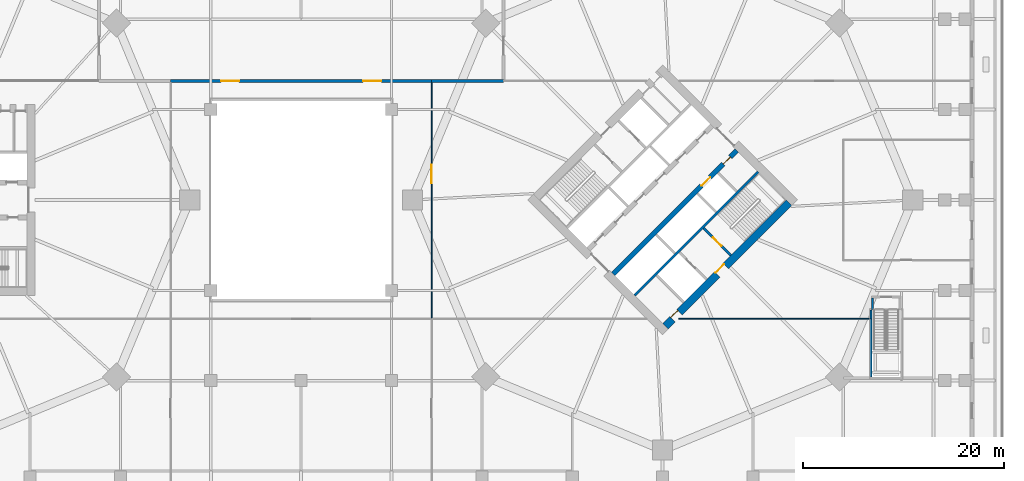
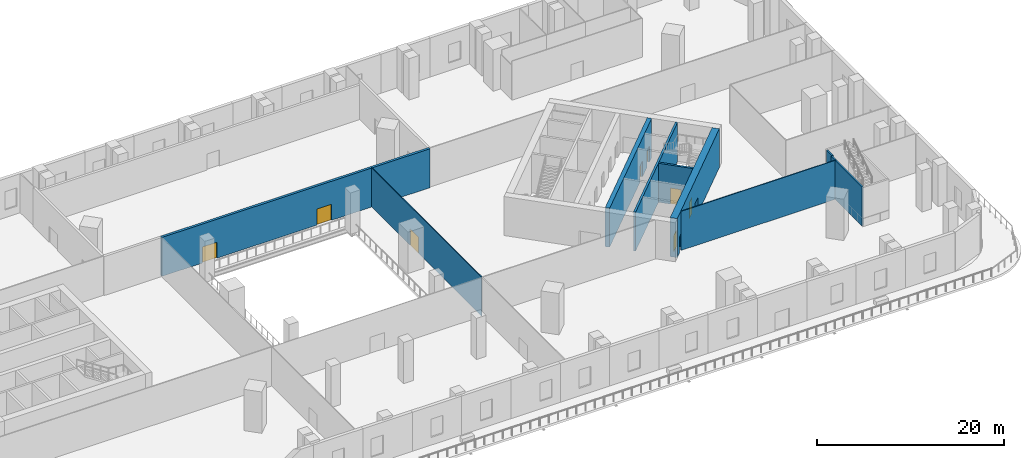
# One storey, part 8 of 19: 11 walls, 8 doors, 8 openings.
"""IFC4 building model written with IfcOpenShell, lengths in metres."""

from ifc_helpers import new_model, si_unit, direction, frame, frame_2d, origin, place, context, subcontext, project, spatial, rectangle, extrude, material, layer, layer_set, type_object, element, fill, save


model = new_model("IFC4")

# Units and contexts
model_context = context("Model", 3, precision=1e-05, world=origin(), true_north=direction((0.0, 1.0)))
body_context = subcontext(model_context, "Body", "Model", "MODEL_VIEW")
ifc_project = project(units=[si_unit("LENGTHUNIT", "METRE"), si_unit("AREAUNIT", "SQUARE_METRE"), si_unit("VOLUMEUNIT", "CUBIC_METRE"), si_unit("PLANEANGLEUNIT", "RADIAN"), si_unit("MASSUNIT", "GRAM", prefix="KILO")], contexts=[model_context])

# Site, building, storey
site_placement = place(None, origin())
site = spatial("IfcSite", under=ifc_project, at=site_placement, CompositionType="ELEMENT")
building_placement = place(site_placement, origin())
building = spatial("IfcBuilding", under=site, at=building_placement, Name="Ogive Gate Towers", CompositionType="ELEMENT")
storey_placement = place(building_placement, frame((0.0, 0.0, 12.60009765625)))
storey = spatial("IfcBuildingStorey", under=building, at=storey_placement, Name="L02", CompositionType="ELEMENT", Elevation=12.60009765625)

# Wall, openings, doors
ifc_material_1 = material(Name="Concrete C60/75", Category="concrete")
ifc_layer_1 = layer(ifc_material_1, 0.800048828125)
ifc_layer_set_1 = layer_set([ifc_layer_1], Name="Core wall 800 mm")
wall_type_1 = type_object("IfcWallType", Name="Core wall 800 mm", PredefinedType="SHEAR", material=ifc_layer_set_1)
wall_1_placement = place(storey_placement, frame((36.28271484375, -12.58642578125, 0.0), z_axis=(0.0, 0.0, 1.0), x_axis=(0.707106781187, 0.707106781187, 0.0)))
wall_1 = element("IfcWall", 1, at=wall_1_placement, inside=storey, type_object=wall_type_1, Name="T2 L02 Core wall 800 mm", PredefinedType="SHEAR", context=body_context, shape_type="SweptSolid", body=[
    extrude(rectangle(XDim=17.400146484375, YDim=0.800048828125, at=frame_2d((8.7001953125, 0.0))), origin(), (0.0, 0.0, 1.0), 5.099853515625),
])
opening_1_placement = place(wall_1_placement, frame((7.300048828125, 0.0, 0.0)))
opening_1 = element("IfcOpeningElement", 2, at=opening_1_placement, cuts=wall_1, Name="Opening KD-T2-L02-16", PredefinedType="OPENING", context=body_context, shape_type="SweptSolid", body=[
    extrude(rectangle(XDim=1.199951171875, YDim=2.10009765625, at=frame_2d((0.60009765625, 1.050048828125))), frame((0.0, 0.41015625, 0.0), z_axis=(0.0, -1.0, 0.0), x_axis=(1.0, 0.0, 0.0)), (0.0, 0.0, 1.0), 0.820068359375),
])
opening_2_placement = place(wall_1_placement, frame((1.0, 0.0, 0.0)))
opening_2 = element("IfcOpeningElement", 3, at=opening_2_placement, cuts=wall_1, Name="Opening KD-T2-L02-19", PredefinedType="OPENING", context=body_context, shape_type="SweptSolid", body=[
    extrude(rectangle(XDim=1.0, YDim=2.10009765625, at=frame_2d((0.5, 1.050048828125))), frame((0.0, 0.41015625, 0.0), z_axis=(0.0, -1.0, 0.0), x_axis=(1.0, 0.0, 0.0)), (0.0, 0.0, 1.0), 0.820068359375),
])
ifc_material_2 = material(Name="Timber door", Category="wood")
door_type_1 = type_object("IfcDoorType", Name="Accessible WC door 1000 x 2100", OperationType="NOTDEFINED", PredefinedType="DOOR", material=ifc_material_2)
door_1_placement = place(opening_2_placement, origin())
door_1 = element("IfcDoor", 4, at=door_1_placement, inside=storey, type_object=door_type_1, Name="T2 L02 Core door", OperationType="SINGLE_SWING_RIGHT", OverallHeight=2.10009765625, OverallWidth=1.0, PredefinedType="DOOR", context=body_context, shape_type="SweptSolid", body=[
    extrude(rectangle(XDim=1.0, YDim=2.10009765625, at=frame_2d((0.5, 1.050048828125))), frame((0.0, 0.27490234375, 0.0), z_axis=(0.0, -1.0, 0.0), x_axis=(1.0, 0.0, 0.0)), (0.0, 0.0, 1.0), 0.050048828125),
])
fill(opening_2, door_1)
ifc_material_3 = material(Name="Steel fire door", Category="steel")
door_type_2 = type_object("IfcDoorType", Name="Core door FD60S 1200 x 2100", OperationType="NOTDEFINED", PredefinedType="DOOR", material=ifc_material_3)
door_2_placement = place(opening_1_placement, origin())
door_2 = element("IfcDoor", 5, at=door_2_placement, inside=storey, type_object=door_type_2, Name="T2 L02 Fire-fighting lobby door", OperationType="SINGLE_SWING_LEFT", OverallHeight=2.10009765625, OverallWidth=1.199951171875, PredefinedType="DOOR", context=body_context, shape_type="SweptSolid", body=[
    extrude(rectangle(XDim=1.199951171875, YDim=2.10009765625, at=frame_2d((0.60009765625, 1.050048828125))), frame((0.0, 0.27490234375, 0.0), z_axis=(0.0, -1.0, 0.0), x_axis=(1.0, 0.0, 0.0)), (0.0, 0.0, 1.0), 0.050048828125),
])
fill(opening_1, door_2)

# Wall, opening, door
ifc_material_4 = material(Name="Gypsum board partition")
ifc_layer_2 = layer(ifc_material_4, 0.10009765625)
ifc_layer_set_2 = layer_set([ifc_layer_2], Name="Partition wall 100")
wall_type_2 = type_object("IfcWallType", Name="Partition wall 100", PredefinedType="PARTITIONING", material=ifc_layer_set_2)
wall_2_placement = place(storey_placement, frame((13.0, -11.800048828125, 0.0), z_axis=(0.0, 0.0, 1.0), x_axis=(0.0, 1.0, 0.0)))
wall_2 = element("IfcWall", 6, at=wall_2_placement, inside=storey, type_object=wall_type_2, Name="L02 partition 051", PredefinedType="PARTITIONING", context=body_context, shape_type="SweptSolid", body=[
    extrude(rectangle(XDim=23.5, YDim=0.10009765625, at=frame_2d((11.75, 0.0))), origin(), (0.0, 0.0, 1.0), 5.099853515625),
])
opening_3_placement = place(wall_2_placement, frame((13.487548828125, 0.0, 0.0)))
opening_3 = element("IfcOpeningElement", 7, at=opening_3_placement, cuts=wall_2, Name="Opening PO177", PredefinedType="OPENING", context=body_context, shape_type="SweptSolid", body=[
    extrude(rectangle(XDim=1.800048828125, YDim=2.10009765625, at=frame_2d((0.89990234375, 1.050048828125))), frame((0.0, 0.06005859375, 0.0), z_axis=(0.0, -1.0, 0.0), x_axis=(1.0, 0.0, 0.0)), (0.0, 0.0, 1.0), 0.1201171875),
])
door_type_3 = type_object("IfcDoorType", Name="Double door 1800 x 2100", OperationType="NOTDEFINED", PredefinedType="DOOR", material=ifc_material_2)
door_3_placement = place(opening_3_placement, origin())
door_3 = element("IfcDoor", 8, at=door_3_placement, inside=storey, type_object=door_type_3, Name="Door PO177", OperationType="DOUBLE_DOOR_DOUBLE_SWING", OverallHeight=2.10009765625, OverallWidth=1.800048828125, PredefinedType="DOOR", context=body_context, shape_type="SweptSolid", body=[
    extrude(rectangle(XDim=1.800048828125, YDim=2.10009765625, at=frame_2d((0.89990234375, 1.050048828125))), frame((0.0, 0.02490234375, 0.0), z_axis=(0.0, -1.0, 0.0), x_axis=(1.0, 0.0, 0.0)), (0.0, 0.0, 1.0), 0.050048828125),
])
fill(opening_3, door_3)

# Wall
wall_3_placement = place(storey_placement, frame((37.5849609375, -11.85009765625, 0.0), z_axis=(0.0, 0.0, 1.0), x_axis=(1.0, 0.0, 0.0)))
element("IfcWall", 9, at=wall_3_placement, inside=storey, type_object=wall_type_2, Name="L02 partition 056", PredefinedType="PARTITIONING", context=body_context, shape_type="SweptSolid", body=[
    extrude(rectangle(XDim=19.06494140625, YDim=0.10009765625, at=frame_2d((9.532470703125, 0.0))), origin(), (0.0, 0.0, 1.0), 5.099853515625),
])

# Wall, openings, doors
ifc_material_5 = material(Name="Acoustic masonry wall", Category="masonry")
ifc_layer_3 = layer(ifc_material_5, 0.300048828125)
ifc_layer_set_3 = layer_set([ifc_layer_3], Name="Partition wall 300")
wall_type_3 = type_object("IfcWallType", Name="Partition wall 300", PredefinedType="PARTITIONING", material=ifc_layer_set_3)
wall_4_placement = place(storey_placement, frame((-13.0, 11.85009765625, 0.0), z_axis=(0.0, 0.0, 1.0), x_axis=(1.0, 0.0, 0.0)))
wall_4 = element("IfcWall", 10, at=wall_4_placement, inside=storey, type_object=wall_type_3, Name="L02 partition 020", PredefinedType="PARTITIONING", context=body_context, shape_type="SweptSolid", body=[
    extrude(rectangle(XDim=26.0, YDim=0.300048828125, at=frame_2d((13.0, 0.0))), origin(), (0.0, 0.0, 1.0), 5.099853515625),
])
opening_4_placement = place(wall_4_placement, frame((5.02001953125, 0.0, 0.0)))
opening_4 = element("IfcOpeningElement", 11, at=opening_4_placement, cuts=wall_4, Name="Opening PO156", PredefinedType="OPENING", context=body_context, shape_type="SweptSolid", body=[
    extrude(rectangle(XDim=1.800048828125, YDim=2.10009765625, at=frame_2d((0.89990234375, 1.050048828125))), frame((0.0, 0.16015625, 0.0), z_axis=(0.0, -1.0, 0.0), x_axis=(1.0, 0.0, 0.0)), (0.0, 0.0, 1.0), 0.320068359375),
])
opening_5_placement = place(wall_4_placement, frame((19.179931640625, 0.0, 0.0)))
opening_5 = element("IfcOpeningElement", 12, at=opening_5_placement, cuts=wall_4, Name="Opening PO157", PredefinedType="OPENING", context=body_context, shape_type="SweptSolid", body=[
    extrude(rectangle(XDim=1.800048828125, YDim=2.10009765625, at=frame_2d((0.89990234375, 1.050048828125))), frame((0.0, 0.16015625, 0.0), z_axis=(0.0, -1.0, 0.0), x_axis=(1.0, 0.0, 0.0)), (0.0, 0.0, 1.0), 0.320068359375),
])
door_type_4 = type_object("IfcDoorType", Name="Interior fire double door FD60S 1800 x 2100", OperationType="NOTDEFINED", PredefinedType="DOOR", material=ifc_material_3)
door_4_placement = place(opening_4_placement, origin())
door_4 = element("IfcDoor", 13, at=door_4_placement, inside=storey, type_object=door_type_4, Name="Door PO156", OperationType="DOUBLE_DOOR_DOUBLE_SWING", OverallHeight=2.10009765625, OverallWidth=1.800048828125, PredefinedType="DOOR", context=body_context, shape_type="SweptSolid", body=[
    extrude(rectangle(XDim=1.800048828125, YDim=2.10009765625, at=frame_2d((0.89990234375, 1.050048828125))), frame((0.0, 0.02490234375, 0.0), z_axis=(0.0, -1.0, 0.0), x_axis=(1.0, 0.0, 0.0)), (0.0, 0.0, 1.0), 0.050048828125),
])
fill(opening_4, door_4)
door_5_placement = place(opening_5_placement, origin())
door_5 = element("IfcDoor", 14, at=door_5_placement, inside=storey, type_object=door_type_4, Name="Door PO157", OperationType="DOUBLE_DOOR_DOUBLE_SWING", OverallHeight=2.10009765625, OverallWidth=1.800048828125, PredefinedType="DOOR", context=body_context, shape_type="SweptSolid", body=[
    extrude(rectangle(XDim=1.800048828125, YDim=2.10009765625, at=frame_2d((0.89990234375, 1.050048828125))), frame((0.0, 0.02490234375, 0.0), z_axis=(0.0, -1.0, 0.0), x_axis=(1.0, 0.0, 0.0)), (0.0, 0.0, 1.0), 0.050048828125),
])
fill(opening_5, door_5)

# Walls
wall_5_placement = place(storey_placement, frame((13.0, 11.85009765625, 0.0), z_axis=(0.0, 0.0, 1.0), x_axis=(1.0, 0.0, 0.0)))
element("IfcWall", 15, at=wall_5_placement, inside=storey, type_object=wall_type_3, Name="L02 partition 022", PredefinedType="PARTITIONING", context=body_context, shape_type="SweptSolid", body=[
    extrude(rectangle(XDim=7.14990234375, YDim=0.300048828125, at=frame_2d((3.574951171875, 0.0))), origin(), (0.0, 0.0, 1.0), 5.099853515625),
])
ifc_layer_4 = layer(ifc_material_1, 0.25)
ifc_layer_set_4 = layer_set([ifc_layer_4], Name="Shaft wall 250 mm")
wall_type_4 = type_object("IfcWallType", Name="Shaft wall 250 mm", PredefinedType="SHEAR", material=ifc_layer_set_4)
wall_6_placement = place(storey_placement, frame((33.206787109375, -9.510498046875, 0.0), z_axis=(0.0, 0.0, 1.0), x_axis=(0.707106781187, 0.707106781187, 0.0)))
element("IfcWall", 16, at=wall_6_placement, inside=storey, type_object=wall_type_4, Name="T2 L02 Shaft wall 250 mm", PredefinedType="SHEAR", context=body_context, shape_type="SweptSolid", body=[
    extrude(rectangle(XDim=17.400146484375, YDim=0.25, at=frame_2d((8.7001953125, 0.0))), origin(), (0.0, 0.0, 1.0), 5.099853515625),
])

# Wall, opening, door
wall_7_placement = place(storey_placement, frame((42.7880859375, -5.515380859375, 0.0), z_axis=(0.0, 0.0, 1.0), x_axis=(-0.707106781187, 0.707106781187, 0.0)))
wall_7 = element("IfcWall", 17, at=wall_7_placement, inside=storey, type_object=wall_type_4, Name="T2 L02 Shaft wall 250 mm", PredefinedType="SHEAR", context=body_context, shape_type="SweptSolid", body=[
    extrude(rectangle(XDim=3.824951171875, YDim=0.25, at=frame_2d((1.91259765625, 0.0))), origin(), (0.0, 0.0, 1.0), 5.099853515625),
])
opening_6_placement = place(wall_7_placement, frame((1.300048828125, 0.0, 0.0)))
opening_6 = element("IfcOpeningElement", 18, at=opening_6_placement, cuts=wall_7, Name="Opening KD-T2-L02-14", PredefinedType="OPENING", context=body_context, shape_type="SweptSolid", body=[
    extrude(rectangle(XDim=1.199951171875, YDim=2.10009765625, at=frame_2d((0.60009765625, 1.050048828125))), frame((0.0, 0.135009765625, 0.0), z_axis=(0.0, -1.0, 0.0), x_axis=(1.0, 0.0, 0.0)), (0.0, 0.0, 1.0), 0.27001953125),
])
door_6_placement = place(opening_6_placement, origin())
door_6 = element("IfcDoor", 19, at=door_6_placement, inside=storey, type_object=door_type_2, Name="T2 L02 Stair door", OperationType="SINGLE_SWING_LEFT", OverallHeight=2.10009765625, OverallWidth=1.199951171875, PredefinedType="DOOR", context=body_context, shape_type="SweptSolid", body=[
    extrude(rectangle(XDim=1.199951171875, YDim=2.10009765625, at=frame_2d((0.60009765625, 1.050048828125))), frame((0.0, 0.02490234375, 0.0), z_axis=(0.0, -1.0, 0.0), x_axis=(1.0, 0.0, 0.0)), (0.0, 0.0, 1.0), 0.050048828125),
])
fill(opening_6, door_6)

# Wall, openings, doors
ifc_layer_5 = layer(ifc_material_1, 0.5)
ifc_layer_set_5 = layer_set([ifc_layer_5], Name="Spine wall 500 mm")
wall_type_5 = type_object("IfcWallType", Name="Spine wall 500 mm", PredefinedType="SHEAR", material=ifc_layer_set_5)
wall_8_placement = place(storey_placement, frame((31.085693359375, -7.389404296875, 0.0), z_axis=(0.0, 0.0, 1.0), x_axis=(0.707106781187, 0.707106781187, 0.0)))
wall_8 = element("IfcWall", 20, at=wall_8_placement, inside=storey, type_object=wall_type_5, Name="T2 L02 Spine wall 500 mm", PredefinedType="SHEAR", context=body_context, shape_type="SweptSolid", body=[
    extrude(rectangle(XDim=17.400146484375, YDim=0.5, at=frame_2d((8.7001953125, 0.0))), origin(), (0.0, 0.0, 1.0), 5.099853515625),
])
opening_7_placement = place(wall_8_placement, frame((12.449951171875, 0.0, 0.0)))
opening_7 = element("IfcOpeningElement", 21, at=opening_7_placement, cuts=wall_8, Name="Opening LD-T2-L02-09", PredefinedType="OPENING", context=body_context, shape_type="SweptSolid", body=[
    extrude(rectangle(XDim=1.199951171875, YDim=2.10009765625, at=frame_2d((0.60009765625, 1.050048828125))), frame((0.0, 0.260009765625, 0.0), z_axis=(0.0, -1.0, 0.0), x_axis=(1.0, 0.0, 0.0)), (0.0, 0.0, 1.0), 0.52001953125),
])
opening_8_placement = place(wall_8_placement, frame((15.5, 0.0, 0.0)))
opening_8 = element("IfcOpeningElement", 22, at=opening_8_placement, cuts=wall_8, Name="Opening KD-T2-L02-12", PredefinedType="OPENING", context=body_context, shape_type="SweptSolid", body=[
    extrude(rectangle(XDim=1.0, YDim=2.10009765625, at=frame_2d((0.5, 1.050048828125))), frame((0.0, 0.260009765625, 0.0), z_axis=(0.0, -1.0, 0.0), x_axis=(1.0, 0.0, 0.0)), (0.0, 0.0, 1.0), 0.52001953125),
])
door_type_5 = type_object("IfcDoorType", Name="Core door FD60S 1000 x 2100", OperationType="NOTDEFINED", PredefinedType="DOOR", material=ifc_material_3)
door_7_placement = place(opening_8_placement, origin())
door_7 = element("IfcDoor", 23, at=door_7_placement, inside=storey, type_object=door_type_5, Name="T2 L02 Core door", OperationType="SINGLE_SWING_LEFT", OverallHeight=2.10009765625, OverallWidth=1.0, PredefinedType="DOOR", context=body_context, shape_type="SweptSolid", body=[
    extrude(rectangle(XDim=1.0, YDim=2.10009765625, at=frame_2d((0.5, 1.050048828125))), frame((0.0, 0.02490234375, 0.0), z_axis=(0.0, -1.0, 0.0), x_axis=(1.0, 0.0, 0.0)), (0.0, 0.0, 1.0), 0.050048828125),
])
fill(opening_8, door_7)
ifc_material_6 = material(Name="Stainless steel landing door", Category="steel")
door_type_6 = type_object("IfcDoorType", Name="Landing door 1200 x 2100", OperationType="SLIDING_TO_LEFT", PredefinedType="DOOR", material=ifc_material_6)
door_8_placement = place(opening_7_placement, origin())
door_8 = element("IfcDoor", 24, at=door_8_placement, inside=storey, type_object=door_type_6, Name="T2 L02 Lift landing door SVC", OperationType="SLIDING_TO_LEFT", OverallHeight=2.10009765625, OverallWidth=1.199951171875, PredefinedType="DOOR", context=body_context, shape_type="SweptSolid", body=[
    extrude(rectangle(XDim=1.199951171875, YDim=2.10009765625, at=frame_2d((0.60009765625, 1.050048828125))), frame((0.0, 0.02490234375, 0.0), z_axis=(0.0, -1.0, 0.0), x_axis=(1.0, 0.0, 0.0)), (0.0, 0.0, 1.0), 0.050048828125),
])
fill(opening_7, door_8)

# Walls
ifc_material_7 = material(Name="Reinforced concrete C32/40", Category="concrete")
ifc_layer_6 = layer(ifc_material_7, 0.199951171875)
ifc_layer_set_6 = layer_set([ifc_layer_6], Name="Stair shaft wall 200")
wall_type_6 = type_object("IfcWallType", Name="Stair shaft wall 200", PredefinedType="SOLIDWALL", material=ifc_layer_set_6)
wall_9_placement = place(storey_placement, frame((56.75, -17.6201171875, 0.0), z_axis=(0.0, 0.0, 1.0), x_axis=(0.0, 1.0, 0.0)))
element("IfcWall", 25, at=wall_9_placement, inside=storey, type_object=wall_type_6, Name="L02 stair shaft wall 010", PredefinedType="SOLIDWALL", context=body_context, shape_type="SweptSolid", body=[
    extrude(rectangle(XDim=5.77001953125, YDim=0.199951171875, at=frame_2d((2.885009765625, 0.0))), origin(), (0.0, 0.0, 1.0), 5.099853515625),
])
wall_10_placement = place(storey_placement, frame((56.75, -11.85009765625, 0.0), z_axis=(0.0, 0.0, 1.0), x_axis=(0.0, 1.0, 0.0)))
element("IfcWall", 26, at=wall_10_placement, inside=storey, type_object=wall_type_6, Name="L02 stair shaft wall 013", PredefinedType="SOLIDWALL", context=body_context, shape_type="SweptSolid", body=[
    extrude(rectangle(XDim=0.885009765625, YDim=0.199951171875, at=frame_2d((0.4423828125, 0.0))), origin(), (0.0, 0.0, 1.0), 5.099853515625),
])
wall_11_placement = place(storey_placement, frame((56.89990234375, -10.965087890625, 0.0), z_axis=(0.0, 0.0, 1.0), x_axis=(0.0, 1.0, 0.0)))
element("IfcWall", 27, at=wall_11_placement, inside=storey, type_object=wall_type_6, Name="L02 stair shaft wall 014", PredefinedType="SOLIDWALL", context=body_context, shape_type="SweptSolid", body=[
    extrude(rectangle(XDim=1.215087890625, YDim=0.199951171875, at=frame_2d((0.607421875, 0.0))), origin(), (0.0, 0.0, 1.0), 5.099853515625),
])

save(model, "model.ifc")
